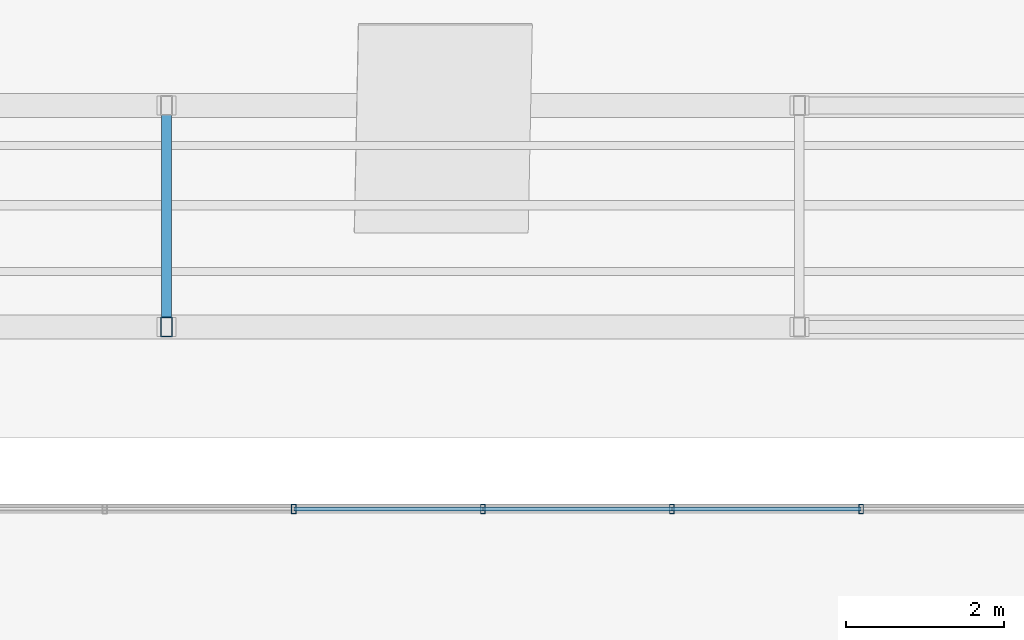
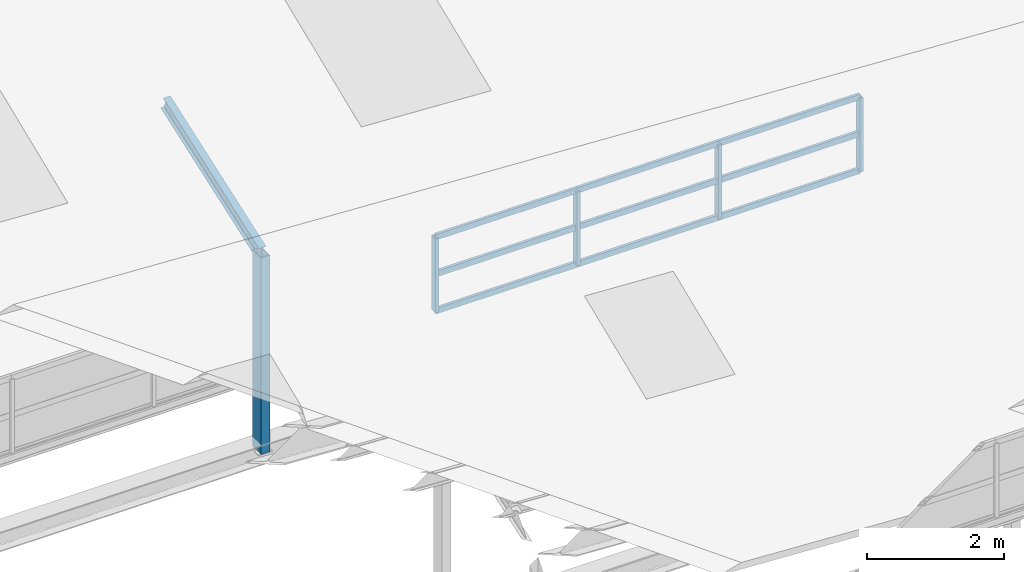
# One storey, part 62 of 141: 15 members, 1 element without a shape of its own.
"""IFC4 building model written with IfcOpenShell, lengths in metres."""

from ifc_helpers import new_model, si_unit, direction, frame, origin, origin_2d, place, context, subcontext, project, spatial, hollow_rectangle, i_section, extrude, material, material_profile, profile_set, type_object, element, aggregate, save


model = new_model("IFC4")

# Units and contexts
model_context = context("Model", 3, precision=1e-05, world=origin(), true_north=direction((0.0, 1.0)))
body_context = subcontext(model_context, "Body", "Model", "MODEL_VIEW")
ifc_project = project(units=[si_unit("LENGTHUNIT", "METRE"), si_unit("AREAUNIT", "SQUARE_METRE"), si_unit("VOLUMEUNIT", "CUBIC_METRE"), si_unit("PLANEANGLEUNIT", "RADIAN"), si_unit("MASSUNIT", "GRAM", prefix="KILO")], contexts=[model_context])

# Site, building, storey
site_placement = place(None, origin())
site = spatial("IfcSite", under=ifc_project, at=site_placement, CompositionType="ELEMENT")
building_placement = place(site_placement, origin())
building = spatial("IfcBuilding", under=site, at=building_placement, Name="Sundkrona Museum", CompositionType="ELEMENT")
storey_placement = place(building_placement, frame((0.0, 0.0, 34.0)))
storey = spatial("IfcBuildingStorey", under=building, at=storey_placement, Name="RF", CompositionType="ELEMENT", Elevation=34.0)

# Curtain wall, members
ifc_material_1 = material(Name="Unitised Aluminium-Steel and Ceramic-Clad Curtain Walling", Category="steel")
curtain_wall_type = type_object("IfcCurtainWallType", Name="CW-SW-240x13", PredefinedType="NOTDEFINED", material=ifc_material_1)
curtain_wall_placement = place(storey_placement, origin())
curtain_wall = element("IfcCurtainWall", 1, at=curtain_wall_placement, inside=storey, type_object=curtain_wall_type, Name="Sawtooth Bay 3 East North-Light Clerestory", PredefinedType="NOTDEFINED")
ifc_material_2 = material(Name="Aluminium EN AW-6060 T66", Category="aluminium")
ifc_material_profile_1 = material_profile(ifc_material_2, hollow_rectangle(XDim=0.06005859375, YDim=0.1201171875, WallThickness=0.0048828125, at=origin_2d()), Name="RHS 120x60x5.0")
ifc_profile_set_1 = profile_set([ifc_material_profile_1], Name="Aluminium EN AW-6060 T66")
member_type_1 = type_object("IfcMemberType", Name="ML-120", PredefinedType="MULLION", material=ifc_profile_set_1)
member_1_placement = place(storey_placement, frame((153.610107421875, 18.39990234375, 3.052978515625), z_axis=(0.0, 0.0, 1.0), x_axis=(1.0, 0.0, 0.0)))
member_1 = element("IfcMember", 2, at=member_1_placement, type_object=member_type_1, Name="CW-RF-SAW-03E Mullion 05", PredefinedType="MULLION", context=body_context, shape_type="SweptSolid", body=[
    extrude(hollow_rectangle(XDim=0.06005859375, YDim=0.1201171875, WallThickness=0.0048828125, at=origin_2d()), origin(), (0.0, 0.0, 1.0), 1.320068359375),
])
member_2_placement = place(storey_placement, frame((156.0, 18.39990234375, 3.052978515625), z_axis=(0.0, 0.0, 1.0), x_axis=(1.0, 0.0, 0.0)))
member_2 = element("IfcMember", 3, at=member_2_placement, type_object=member_type_1, Name="CW-RF-SAW-03E Mullion 06", PredefinedType="MULLION", context=body_context, shape_type="SweptSolid", body=[
    extrude(hollow_rectangle(XDim=0.06005859375, YDim=0.1201171875, WallThickness=0.0048828125, at=origin_2d()), origin(), (0.0, 0.0, 1.0), 1.320068359375),
])
member_3_placement = place(storey_placement, frame((158.389892578125, 18.39990234375, 3.052978515625), z_axis=(0.0, 0.0, 1.0), x_axis=(1.0, 0.0, 0.0)))
member_3 = element("IfcMember", 4, at=member_3_placement, type_object=member_type_1, Name="CW-RF-SAW-03E Mullion 07", PredefinedType="MULLION", context=body_context, shape_type="SweptSolid", body=[
    extrude(hollow_rectangle(XDim=0.06005859375, YDim=0.1201171875, WallThickness=0.0048828125, at=origin_2d()), origin(), (0.0, 0.0, 1.0), 1.320068359375),
])
member_4_placement = place(storey_placement, frame((160.780029296875, 18.39990234375, 3.052978515625), z_axis=(0.0, 0.0, 1.0), x_axis=(1.0, 0.0, 0.0)))
member_4 = element("IfcMember", 5, at=member_4_placement, type_object=member_type_1, Name="CW-RF-SAW-03E Mullion 08", PredefinedType="MULLION", context=body_context, shape_type="SweptSolid", body=[
    extrude(hollow_rectangle(XDim=0.06005859375, YDim=0.1201171875, WallThickness=0.0048828125, at=origin_2d()), origin(), (0.0, 0.0, 1.0), 1.320068359375),
])

# Members
ifc_material_3 = material(Name="Steel S355J2", Category="steel")
ifc_material_profile_2 = material_profile(ifc_material_3, i_section(OverallWidth=0.1201171875, OverallDepth=0.239990234375, WebThickness=0.006103515625, FlangeThickness=0.009765625, FilletRadius=0.014892578125, at=origin_2d()), Name="IPE 240")
ifc_profile_set_2 = profile_set([ifc_material_profile_2], Name="Steel S355J2")
member_type_2 = type_object("IfcMemberType", Name="PR-IPE240", PredefinedType="PURLIN", material=ifc_profile_set_2)
member_5_placement = place(storey_placement, frame((152.0, 20.699951171875, 3.262451171875), z_axis=(0.0, 0.942754878846, 0.333486489099), x_axis=(-1.0, 0.0, 0.0)))
element("IfcMember", 6, at=member_5_placement, inside=storey, type_object=member_type_2, Name="RFS-1 Sawtooth Bay 4 Transverse Rafter 5", PredefinedType="PURLIN", context=body_context, shape_type="SweptSolid", body=[
    extrude(i_section(OverallWidth=0.1201171875, OverallDepth=0.239990234375, WebThickness=0.006103515625, FlangeThickness=0.009765625, FilletRadius=0.014892578125, at=origin_2d()), origin(), (0.0, 0.0, 1.0), 2.969970703125),
])
ifc_material_profile_3 = material_profile(ifc_material_3, hollow_rectangle(XDim=0.14990234375, YDim=0.25, WallThickness=0.010009765625, at=origin_2d()), Name="RHS 250x150x10.0")
ifc_profile_set_3 = profile_set([ifc_material_profile_3], Name="Steel S355J2")
member_type_3 = type_object("IfcMemberType", Name="ST-RHS250", PredefinedType="STRUT", material=ifc_profile_set_3)
member_6_placement = place(storey_placement, frame((152.0, 20.699951171875, -0.25), z_axis=(0.0, 0.0, 1.0), x_axis=(1.0, 0.0, 0.0)))
element("IfcMember", 7, at=member_6_placement, inside=storey, type_object=member_type_3, Name="RFS-1 Sawtooth Bay 4 Valley Post 5", PredefinedType="STRUT", context=body_context, shape_type="SweptSolid", body=[
    extrude(hollow_rectangle(XDim=0.14990234375, YDim=0.25, WallThickness=0.010009765625, at=origin_2d()), origin(), (0.0, 0.0, 1.0), 3.512451171875),
])

# Member
ifc_material_profile_4 = material_profile(ifc_material_2, hollow_rectangle(XDim=0.050048828125, YDim=0.10009765625, WallThickness=0.0048828125, at=origin_2d()), Name="RHS 100x50x5.0")
ifc_profile_set_4 = profile_set([ifc_material_profile_4], Name="Aluminium EN AW-6060 T66")
member_type_4 = type_object("IfcMemberType", Name="TR-100", PredefinedType="USERDEFINED", material=ifc_profile_set_4)
member_7_placement = place(storey_placement, frame((153.610107421875, 18.39990234375, 3.052978515625), z_axis=(1.0, 0.0, 0.0), x_axis=(0.0, 1.0, 0.0)))
member_7 = element("IfcMember", 8, at=member_7_placement, type_object=member_type_4, Name="CW-RF-SAW-03E Transom 13", ObjectType="TRANSOM", PredefinedType="USERDEFINED", context=body_context, shape_type="SweptSolid", body=[
    extrude(hollow_rectangle(XDim=0.050048828125, YDim=0.10009765625, WallThickness=0.0048828125, at=origin_2d()), origin(), (0.0, 0.0, 1.0), 2.389892578125),
])

member_8_placement = place(storey_placement, frame((153.610107421875, 18.39990234375, 3.712890625), z_axis=(1.0, 0.0, 0.0), x_axis=(0.0, 1.0, 0.0)))
member_8 = element("IfcMember", 9, at=member_8_placement, type_object=member_type_4, Name="CW-RF-SAW-03E Transom 14", ObjectType="TRANSOM", PredefinedType="USERDEFINED", context=body_context, shape_type="SweptSolid", body=[
    extrude(hollow_rectangle(XDim=0.050048828125, YDim=0.10009765625, WallThickness=0.0048828125, at=origin_2d()), origin(), (0.0, 0.0, 1.0), 2.389892578125),
])

member_9_placement = place(storey_placement, frame((153.610107421875, 18.39990234375, 4.373046875), z_axis=(1.0, 0.0, 0.0), x_axis=(0.0, 1.0, 0.0)))
member_9 = element("IfcMember", 10, at=member_9_placement, type_object=member_type_4, Name="CW-RF-SAW-03E Transom 15", ObjectType="TRANSOM", PredefinedType="USERDEFINED", context=body_context, shape_type="SweptSolid", body=[
    extrude(hollow_rectangle(XDim=0.050048828125, YDim=0.10009765625, WallThickness=0.0048828125, at=origin_2d()), origin(), (0.0, 0.0, 1.0), 2.389892578125),
])

member_10_placement = place(storey_placement, frame((156.0, 18.39990234375, 3.052978515625), z_axis=(1.0, 0.0, 0.0), x_axis=(0.0, 1.0, 0.0)))
member_10 = element("IfcMember", 11, at=member_10_placement, type_object=member_type_4, Name="CW-RF-SAW-03E Transom 16", ObjectType="TRANSOM", PredefinedType="USERDEFINED", context=body_context, shape_type="SweptSolid", body=[
    extrude(hollow_rectangle(XDim=0.050048828125, YDim=0.10009765625, WallThickness=0.0048828125, at=origin_2d()), origin(), (0.0, 0.0, 1.0), 2.389892578125),
])

member_11_placement = place(storey_placement, frame((156.0, 18.39990234375, 3.712890625), z_axis=(1.0, 0.0, 0.0), x_axis=(0.0, 1.0, 0.0)))
member_11 = element("IfcMember", 12, at=member_11_placement, type_object=member_type_4, Name="CW-RF-SAW-03E Transom 17", ObjectType="TRANSOM", PredefinedType="USERDEFINED", context=body_context, shape_type="SweptSolid", body=[
    extrude(hollow_rectangle(XDim=0.050048828125, YDim=0.10009765625, WallThickness=0.0048828125, at=origin_2d()), origin(), (0.0, 0.0, 1.0), 2.389892578125),
])

member_12_placement = place(storey_placement, frame((156.0, 18.39990234375, 4.373046875), z_axis=(1.0, 0.0, 0.0), x_axis=(0.0, 1.0, 0.0)))
member_12 = element("IfcMember", 13, at=member_12_placement, type_object=member_type_4, Name="CW-RF-SAW-03E Transom 18", ObjectType="TRANSOM", PredefinedType="USERDEFINED", context=body_context, shape_type="SweptSolid", body=[
    extrude(hollow_rectangle(XDim=0.050048828125, YDim=0.10009765625, WallThickness=0.0048828125, at=origin_2d()), origin(), (0.0, 0.0, 1.0), 2.389892578125),
])

member_13_placement = place(storey_placement, frame((158.389892578125, 18.39990234375, 3.052978515625), z_axis=(1.0, 0.0, 0.0), x_axis=(0.0, 1.0, 0.0)))
member_13 = element("IfcMember", 14, at=member_13_placement, type_object=member_type_4, Name="CW-RF-SAW-03E Transom 19", ObjectType="TRANSOM", PredefinedType="USERDEFINED", context=body_context, shape_type="SweptSolid", body=[
    extrude(hollow_rectangle(XDim=0.050048828125, YDim=0.10009765625, WallThickness=0.0048828125, at=origin_2d()), origin(), (0.0, 0.0, 1.0), 2.39013671875),
])

member_14_placement = place(storey_placement, frame((158.389892578125, 18.39990234375, 3.712890625), z_axis=(1.0, 0.0, 0.0), x_axis=(0.0, 1.0, 0.0)))
member_14 = element("IfcMember", 15, at=member_14_placement, type_object=member_type_4, Name="CW-RF-SAW-03E Transom 20", ObjectType="TRANSOM", PredefinedType="USERDEFINED", context=body_context, shape_type="SweptSolid", body=[
    extrude(hollow_rectangle(XDim=0.050048828125, YDim=0.10009765625, WallThickness=0.0048828125, at=origin_2d()), origin(), (0.0, 0.0, 1.0), 2.39013671875),
])

member_15_placement = place(storey_placement, frame((158.389892578125, 18.39990234375, 4.373046875), z_axis=(1.0, 0.0, 0.0), x_axis=(0.0, 1.0, 0.0)))
member_15 = element("IfcMember", 16, at=member_15_placement, type_object=member_type_4, Name="CW-RF-SAW-03E Transom 21", ObjectType="TRANSOM", PredefinedType="USERDEFINED", context=body_context, shape_type="SweptSolid", body=[
    extrude(hollow_rectangle(XDim=0.050048828125, YDim=0.10009765625, WallThickness=0.0048828125, at=origin_2d()), origin(), (0.0, 0.0, 1.0), 2.39013671875),
])

aggregate(curtain_wall, [member_1, member_2, member_3, member_4, member_7, member_8, member_9, member_10, member_11, member_12, member_13, member_14, member_15])

save(model, "model.ifc")
